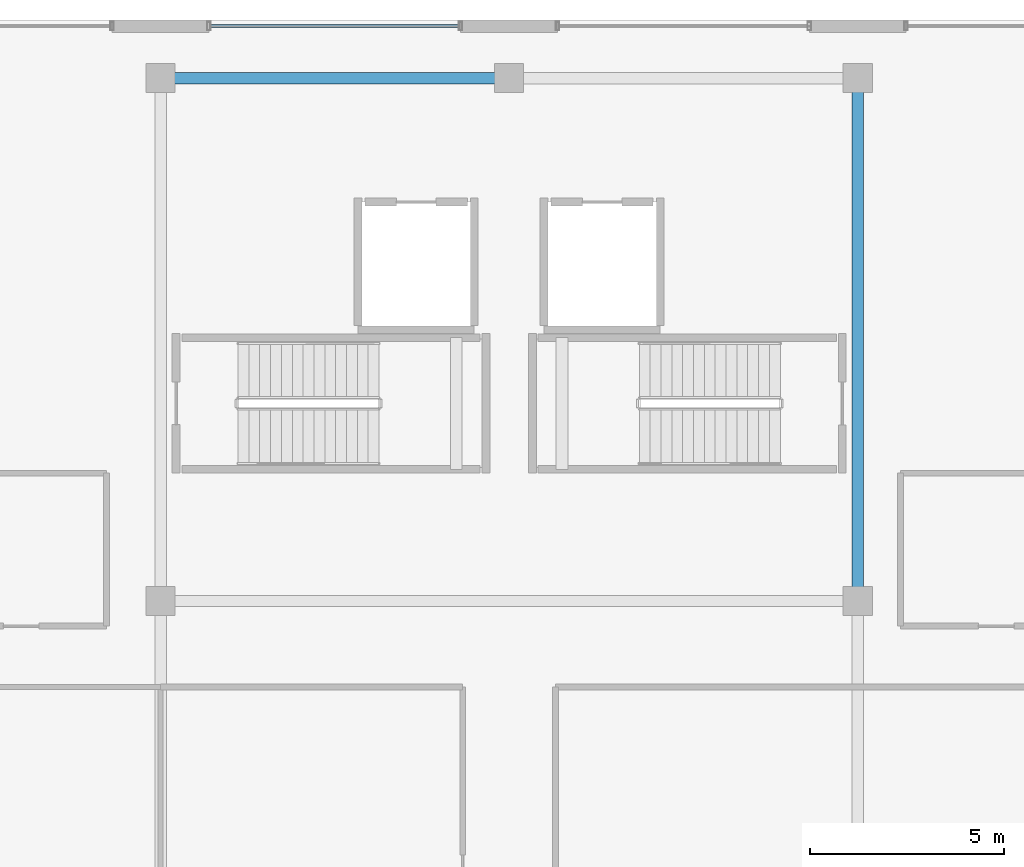
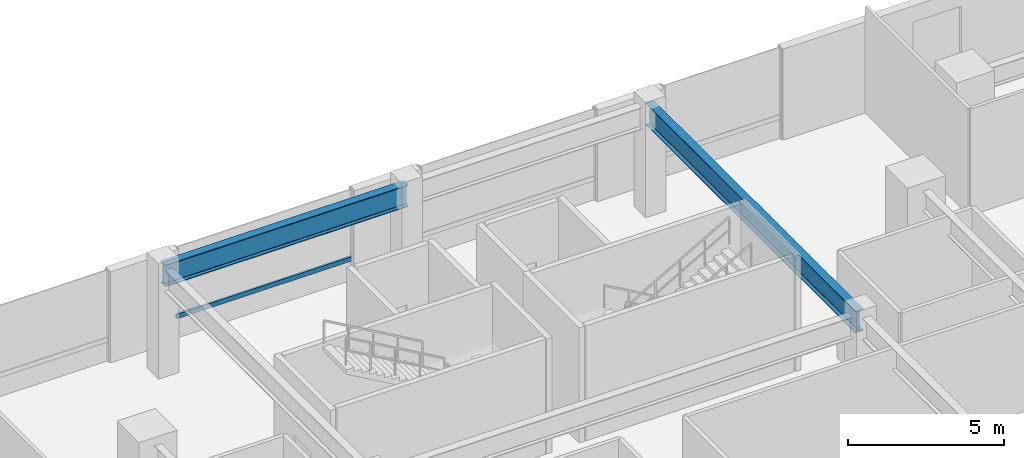
# One storey, part 6 of 24: 2 beams, 1 member, 1 element without a shape of its own.
"""IFC4 building model written with IfcOpenShell, lengths in metres."""

from ifc_helpers import new_model, si_unit, direction, frame, origin, origin_2d, place, context, subcontext, project, spatial, hollow_rectangle, i_section, extrude, material, material_profile, profile_set, type_object, element, aggregate, save


model = new_model("IFC4")

# Units and contexts
model_context = context("Model", 3, precision=1e-05, world=origin(), true_north=direction((0.0, 1.0)))
body_context = subcontext(model_context, "Body", "Model", "MODEL_VIEW")
ifc_project = project(units=[si_unit("LENGTHUNIT", "METRE"), si_unit("AREAUNIT", "SQUARE_METRE"), si_unit("VOLUMEUNIT", "CUBIC_METRE"), si_unit("PLANEANGLEUNIT", "RADIAN"), si_unit("MASSUNIT", "GRAM", prefix="KILO")], contexts=[model_context])

# Site, building, storey
site_placement = place(None, origin())
site = spatial("IfcSite", under=ifc_project, at=site_placement, CompositionType="ELEMENT")
building_placement = place(site_placement, origin())
building = spatial("IfcBuilding", under=site, at=building_placement, Name="Thornwick Lancets Civic Towers", CompositionType="ELEMENT")
storey_placement = place(building_placement, frame((0.0, 0.0, 14.10009765625)))
storey = spatial("IfcBuildingStorey", under=building, at=storey_placement, Name="L03", CompositionType="ELEMENT", Elevation=14.10009765625)

# Beams
ifc_material_1 = material(Name="Steel S355JR", Category="steel")
ifc_material_profile_1 = material_profile(ifc_material_1, i_section(OverallWidth=0.293701171875, OverallDepth=0.850830078125, WebThickness=0.01611328125, FlangeThickness=0.02685546875, FilletRadius=0.017822265625, at=origin_2d()), Name="UKB 838x292x226")
ifc_profile_set_1 = profile_set([ifc_material_profile_1], Name="Steel S355JR")
beam_type = type_object("IfcBeamType", Name="BM_POD_838_226", PredefinedType="BEAM", material=ifc_profile_set_1)
beam_1_placement = place(storey_placement, frame((66.0, 34.580078125, 3.75439453125), z_axis=(0.0, 1.0, 0.0), x_axis=(-1.0, 0.0, 0.0)))
element("IfcBeam", 1, at=beam_1_placement, inside=storey, type_object=beam_type, Name="BM-PODG-L03-10-13", PredefinedType="BEAM", context=body_context, shape_type="SweptSolid", body=[
    extrude(i_section(OverallWidth=0.293701171875, OverallDepth=0.850830078125, WebThickness=0.01611328125, FlangeThickness=0.02685546875, FilletRadius=0.017822265625, at=origin_2d()), origin(), (0.0, 0.0, 1.0), 13.419921875),
])
beam_2_placement = place(storey_placement, frame((48.0, 48.0, 3.75439453125), z_axis=(1.0, 0.0, 0.0), x_axis=(0.0, 1.0, 0.0)))
element("IfcBeam", 2, at=beam_2_placement, inside=storey, type_object=beam_type, Name="BM-PODG-L03-11-12", PredefinedType="BEAM", context=body_context, shape_type="SweptSolid", body=[
    extrude(i_section(OverallWidth=0.293701171875, OverallDepth=0.850830078125, WebThickness=0.01611328125, FlangeThickness=0.02685546875, FilletRadius=0.017822265625, at=origin_2d()), origin(), (0.0, 0.0, 1.0), 9.0),
])

# Curtain wall, member
ifc_material_2 = material(Name="Terracotta-trimmed cascading podium ribbon curtain wall", Category="masonry")
curtain_wall_type = type_object("IfcCurtainWallType", Name="CW_SYS_02", PredefinedType="NOTDEFINED", material=ifc_material_2)
curtain_wall_placement = place(storey_placement, origin())
curtain_wall = element("IfcCurtainWall", 3, at=curtain_wall_placement, inside=storey, type_object=curtain_wall_type, Name="L03 Curtain Wall CW-L03-POD-NC-S3", PredefinedType="NOTDEFINED")
ifc_material_3 = material(Name="Thermally broken bronze aluminium S355", Category="steel")
ifc_material_profile_2 = material_profile(ifc_material_3, hollow_rectangle(XDim=0.074951171875, YDim=0.179931640625, WallThickness=0.006103515625, at=origin_2d()), Name="RHS 180x75x6")
ifc_profile_set_2 = profile_set([ifc_material_profile_2], Name="Thermally broken bronze aluminium S355")
member_type = type_object("IfcMemberType", Name="CW_TRN_180", PredefinedType="USERDEFINED", material=ifc_profile_set_2)
member_placement = place(storey_placement, frame((55.72998046875, 49.340087890625, 0.849853515625), z_axis=(-1.0, 0.0, 0.0), x_axis=(0.0, -1.0, 0.0)))
member = element("IfcMember", 4, at=member_placement, type_object=member_type, Name="CW-L03-POD-NC-S3 Transom 0", ObjectType="TRANSOM", PredefinedType="USERDEFINED", context=body_context, shape_type="SweptSolid", body=[
    extrude(hollow_rectangle(XDim=0.074951171875, YDim=0.179931640625, WallThickness=0.006103515625, at=origin_2d()), origin(), (0.0, 0.0, 1.0), 6.4599609375),
])
aggregate(curtain_wall, [member])

save(model, "model.ifc")
